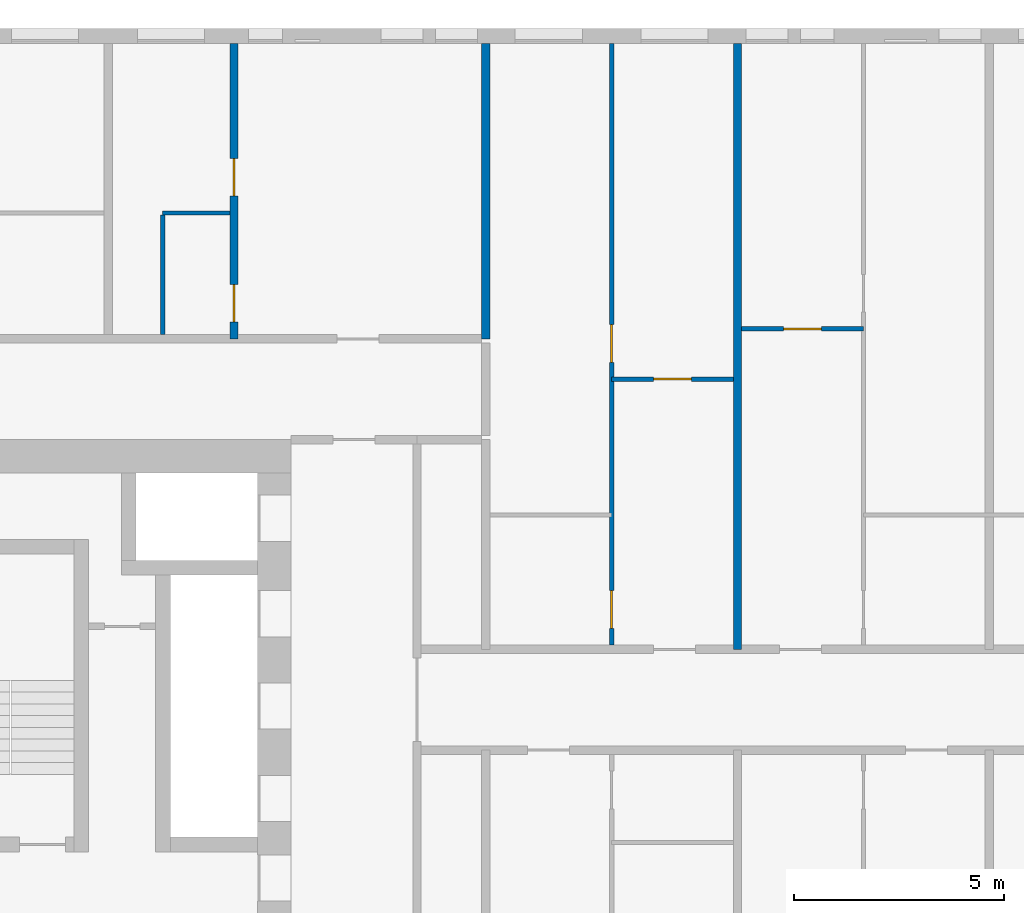
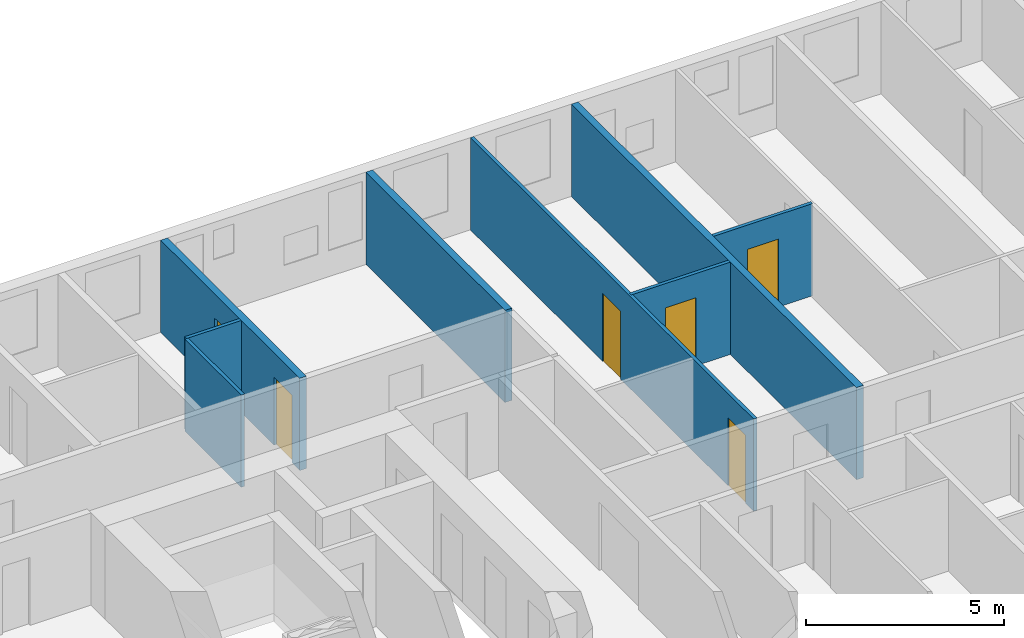
# One storey, part 6 of 19: 8 walls, 6 doors, 6 openings.
"""IFC4 building model written with IfcOpenShell, lengths in metres."""

from ifc_helpers import new_model, si_unit, direction, frame, frame_2d, origin, place, context, subcontext, project, spatial, rectangle, extrude, material, layer, layer_set, type_object, element, fill, save


model = new_model("IFC4")

# Units and contexts
model_context = context("Model", 3, precision=1e-05, world=origin(), true_north=direction((0.0, 1.0)))
body_context = subcontext(model_context, "Body", "Model", "MODEL_VIEW")
ifc_project = project(units=[si_unit("LENGTHUNIT", "METRE"), si_unit("AREAUNIT", "SQUARE_METRE"), si_unit("VOLUMEUNIT", "CUBIC_METRE"), si_unit("PLANEANGLEUNIT", "RADIAN"), si_unit("MASSUNIT", "GRAM", prefix="KILO")], contexts=[model_context])

# Site, building, storey
site_placement = place(None, origin())
site = spatial("IfcSite", under=ifc_project, at=site_placement, CompositionType="ELEMENT")
building_placement = place(site_placement, origin())
building = spatial("IfcBuilding", under=site, at=building_placement, Name="Tuart Gate Housing", CompositionType="ELEMENT")
storey_placement = place(building_placement, frame((0.0, 0.0, 56.699951171875)))
storey = spatial("IfcBuildingStorey", under=building, at=storey_placement, Name="L15", CompositionType="ELEMENT", Elevation=56.699951171875)

# Wall, opening, door
ifc_material_1 = material(Name="Gypsum board on steel studs", Category="steel")
ifc_layer_1 = layer(ifc_material_1, 0.10009765625)
ifc_layer_set_1 = layer_set([ifc_layer_1], Name="Partition 100")
wall_type_1 = type_object("IfcWallType", Name="Partition 100", PredefinedType="PARTITIONING", material=ifc_layer_set_1)
wall_1_placement = place(storey_placement, frame((49.0, 77.639892578125, 0.0), z_axis=(0.0, 0.0, 1.0), x_axis=(1.0, 0.0, 0.0)))
wall_1 = element("IfcWall", 1, at=wall_1_placement, inside=storey, type_object=wall_type_1, Name="Partition 100", PredefinedType="PARTITIONING", context=body_context, shape_type="SweptSolid", body=[
    extrude(rectangle(XDim=2.89990234375, YDim=0.10009765625, at=frame_2d((1.449951171875, 0.0))), origin(), (0.0, 0.0, 1.0), 2.85009765625),
])
opening_1_placement = place(wall_1_placement, frame((1.0, 0.0, 0.0)))
opening_1 = element("IfcOpeningElement", 2, at=opening_1_placement, cuts=wall_1, Name="Opening D733", PredefinedType="OPENING", context=body_context, shape_type="SweptSolid", body=[
    extrude(rectangle(XDim=0.89990234375, YDim=2.10009765625, at=frame_2d((0.449951171875, 1.050048828125))), frame((0.0, 0.06005859375, 0.0), z_axis=(0.0, -1.0, 0.0), x_axis=(1.0, 0.0, 0.0)), (0.0, 0.0, 1.0), 0.1201171875),
])
ifc_material_2 = material(Name="Timber door leaf in steel frame", Category="steel")
door_type_1 = type_object("IfcDoorType", Name="Internal door 900 RH", OperationType="SINGLE_SWING_RIGHT", PredefinedType="DOOR", material=ifc_material_2)
door_1_placement = place(opening_1_placement, frame((0.89990234375, 0.0, 0.0), z_axis=(0.0, 0.0, 1.0), x_axis=(-1.0, 0.0, 0.0)))
door_1 = element("IfcDoor", 3, at=door_1_placement, inside=storey, type_object=door_type_1, Name="Internal door", OperationType="SINGLE_SWING_RIGHT", OverallHeight=2.10009765625, OverallWidth=0.89990234375, PredefinedType="DOOR", context=body_context, shape_type="SweptSolid", body=[
    extrude(rectangle(XDim=0.89990234375, YDim=2.10009765625, at=frame_2d((0.449951171875, 1.050048828125))), frame((0.0, 0.025146484375, 0.0), z_axis=(0.0, -1.0, 0.0), x_axis=(1.0, 0.0, 0.0)), (0.0, 0.0, 1.0), 0.050048828125),
])
fill(opening_1, door_1)

wall_2_placement = place(storey_placement, frame((52.10009765625, 78.840087890625, 0.0), z_axis=(0.0, 0.0, 1.0), x_axis=(1.0, 0.0, 0.0)))
wall_2 = element("IfcWall", 4, at=wall_2_placement, inside=storey, type_object=wall_type_1, Name="Partition 100", PredefinedType="PARTITIONING", context=body_context, shape_type="SweptSolid", body=[
    extrude(rectangle(XDim=2.89990234375, YDim=0.10009765625, at=frame_2d((1.449951171875, 0.0))), origin(), (0.0, 0.0, 1.0), 2.85009765625),
])
opening_2_placement = place(wall_2_placement, frame((1.0, 0.0, 0.0)))
opening_2 = element("IfcOpeningElement", 5, at=opening_2_placement, cuts=wall_2, Name="Opening D723", PredefinedType="OPENING", context=body_context, shape_type="SweptSolid", body=[
    extrude(rectangle(XDim=0.89990234375, YDim=2.10009765625, at=frame_2d((0.449951171875, 1.050048828125))), frame((0.0, 0.06005859375, 0.0), z_axis=(0.0, -1.0, 0.0), x_axis=(1.0, 0.0, 0.0)), (0.0, 0.0, 1.0), 0.1201171875),
])
ifc_material_3 = material(Name="Timber door leaf in steel frame", Category="steel")
door_type_2 = type_object("IfcDoorType", Name="Internal door 900", OperationType="SINGLE_SWING_LEFT", PredefinedType="DOOR", material=ifc_material_3)
door_2_placement = place(opening_2_placement, frame((0.89990234375, 0.0, 0.0), z_axis=(0.0, 0.0, 1.0), x_axis=(-1.0, 0.0, 0.0)))
door_2 = element("IfcDoor", 6, at=door_2_placement, inside=storey, type_object=door_type_2, Name="Internal door", OperationType="SINGLE_SWING_LEFT", OverallHeight=2.10009765625, OverallWidth=0.89990234375, PredefinedType="DOOR", context=body_context, shape_type="SweptSolid", body=[
    extrude(rectangle(XDim=0.89990234375, YDim=2.10009765625, at=frame_2d((0.449951171875, 1.050048828125))), frame((0.0, 0.025146484375, 0.0), z_axis=(0.0, -1.0, 0.0), x_axis=(1.0, 0.0, 0.0)), (0.0, 0.0, 1.0), 0.050048828125),
])
fill(opening_2, door_2)

# Walls
wall_3_placement = place(storey_placement, frame((38.300048828125, 81.60009765625, 0.0), z_axis=(0.0, 0.0, 1.0), x_axis=(1.0, 0.0, 0.0)))
element("IfcWall", 7, at=wall_3_placement, inside=storey, type_object=wall_type_1, Name="Partition 100", PredefinedType="PARTITIONING", context=body_context, shape_type="SweptSolid", body=[
    extrude(rectangle(XDim=1.599853515625, YDim=0.10009765625, at=frame_2d((0.7998046875, 0.0))), origin(), (0.0, 0.0, 1.0), 2.85009765625),
])
wall_4_placement = place(storey_placement, frame((38.300048828125, 78.699951171875, 0.0), z_axis=(0.0, 0.0, 1.0), x_axis=(0.0, 1.0, 0.0)))
element("IfcWall", 8, at=wall_4_placement, inside=storey, type_object=wall_type_1, Name="Partition 100", PredefinedType="PARTITIONING", context=body_context, shape_type="SweptSolid", body=[
    extrude(rectangle(XDim=2.85009765625, YDim=0.10009765625, at=frame_2d((1.425048828125, 0.0))), origin(), (0.0, 0.0, 1.0), 2.85009765625),
])

# Wall, openings, doors
wall_5_placement = place(storey_placement, frame((49.0, 71.300048828125, 0.0), z_axis=(0.0, 0.0, 1.0), x_axis=(0.0, 1.0, 0.0)))
wall_5 = element("IfcWall", 9, at=wall_5_placement, inside=storey, type_object=wall_type_1, Name="Partition 100", PredefinedType="PARTITIONING", context=body_context, shape_type="SweptSolid", body=[
    extrude(rectangle(XDim=14.33984375, YDim=0.10009765625, at=frame_2d((7.169921875, 0.0))), origin(), (0.0, 0.0, 1.0), 2.85009765625),
])
opening_3_placement = place(wall_5_placement, frame((6.739990234375, 0.0, 0.0)))
opening_3 = element("IfcOpeningElement", 10, at=opening_3_placement, cuts=wall_5, Name="Opening D728", PredefinedType="OPENING", context=body_context, shape_type="SweptSolid", body=[
    extrude(rectangle(XDim=0.89990234375, YDim=2.10009765625, at=frame_2d((0.449951171875, 1.050048828125))), frame((0.0, 0.06005859375, 0.0), z_axis=(0.0, -1.0, 0.0), x_axis=(1.0, 0.0, 0.0)), (0.0, 0.0, 1.0), 0.1201171875),
])
opening_4_placement = place(wall_5_placement, frame((0.39990234375, 0.0, 0.0)))
opening_4 = element("IfcOpeningElement", 11, at=opening_4_placement, cuts=wall_5, Name="Opening D727", PredefinedType="OPENING", context=body_context, shape_type="SweptSolid", body=[
    extrude(rectangle(XDim=0.89990234375, YDim=2.10009765625, at=frame_2d((0.449951171875, 1.050048828125))), frame((0.0, 0.06005859375, 0.0), z_axis=(0.0, -1.0, 0.0), x_axis=(1.0, 0.0, 0.0)), (0.0, 0.0, 1.0), 0.1201171875),
])
ifc_material_4 = material(Name="Timber door leaf in steel frame", Category="steel")
door_type_3 = type_object("IfcDoorType", Name="Bathroom door 900", OperationType="SINGLE_SWING_LEFT", PredefinedType="DOOR", material=ifc_material_4)
door_3_placement = place(opening_4_placement, origin())
door_3 = element("IfcDoor", 12, at=door_3_placement, inside=storey, type_object=door_type_3, Name="Bathroom door", OperationType="SINGLE_SWING_LEFT", OverallHeight=2.10009765625, OverallWidth=0.89990234375, PredefinedType="DOOR", context=body_context, shape_type="SweptSolid", body=[
    extrude(rectangle(XDim=0.89990234375, YDim=2.10009765625, at=frame_2d((0.449951171875, 1.050048828125))), frame((0.0, 0.02490234375, 0.0), z_axis=(0.0, -1.0, 0.0), x_axis=(1.0, 0.0, 0.0)), (0.0, 0.0, 1.0), 0.050048828125),
])
fill(opening_4, door_3)
door_4_placement = place(opening_3_placement, origin())
door_4 = element("IfcDoor", 13, at=door_4_placement, inside=storey, type_object=door_type_2, Name="Internal door", OperationType="SINGLE_SWING_LEFT", OverallHeight=2.10009765625, OverallWidth=0.89990234375, PredefinedType="DOOR", context=body_context, shape_type="SweptSolid", body=[
    extrude(rectangle(XDim=0.89990234375, YDim=2.10009765625, at=frame_2d((0.449951171875, 1.050048828125))), frame((0.0, 0.02490234375, 0.0), z_axis=(0.0, -1.0, 0.0), x_axis=(1.0, 0.0, 0.0)), (0.0, 0.0, 1.0), 0.050048828125),
])
fill(opening_3, door_4)

ifc_material_5 = material(Name="Concrete C40", Category="concrete")
ifc_layer_2 = layer(ifc_material_5, 0.199951171875)
ifc_layer_set_2 = layer_set([ifc_layer_2], Name="Party wall concrete C40 200")
wall_type_2 = type_object("IfcWallType", Name="Party wall concrete C40 200", PredefinedType="SOLIDWALL", material=ifc_layer_set_2)
wall_6_placement = place(storey_placement, frame((40.0, 78.60009765625, 0.0), z_axis=(0.0, 0.0, 1.0), x_axis=(0.0, 1.0, 0.0)))
wall_6 = element("IfcWall", 14, at=wall_6_placement, inside=storey, type_object=wall_type_2, Name="Party wall concrete C40 200", PredefinedType="SOLIDWALL", context=body_context, shape_type="SweptSolid", body=[
    extrude(rectangle(XDim=7.039794921875, YDim=0.199951171875, at=frame_2d((3.52001953125, 0.0))), origin(), (0.0, 0.0, 1.0), 2.85009765625),
])
opening_5_placement = place(wall_6_placement, frame((3.39990234375, 0.0, 0.0)))
opening_5 = element("IfcOpeningElement", 15, at=opening_5_placement, cuts=wall_6, Name="Opening D716", PredefinedType="OPENING", context=body_context, shape_type="SweptSolid", body=[
    extrude(rectangle(XDim=0.89990234375, YDim=2.10009765625, at=frame_2d((0.449951171875, 1.050048828125))), frame((0.0, 0.10986328125, 0.0), z_axis=(0.0, -1.0, 0.0), x_axis=(1.0, 0.0, 0.0)), (0.0, 0.0, 1.0), 0.219970703125),
])
opening_6_placement = place(wall_6_placement, frame((0.39990234375, 0.0, 0.0)))
opening_6 = element("IfcOpeningElement", 16, at=opening_6_placement, cuts=wall_6, Name="Opening D715", PredefinedType="OPENING", context=body_context, shape_type="SweptSolid", body=[
    extrude(rectangle(XDim=0.89990234375, YDim=2.10009765625, at=frame_2d((0.449951171875, 1.050048828125))), frame((0.0, 0.10986328125, 0.0), z_axis=(0.0, -1.0, 0.0), x_axis=(1.0, 0.0, 0.0)), (0.0, 0.0, 1.0), 0.219970703125),
])
door_5_placement = place(opening_6_placement, origin())
door_5 = element("IfcDoor", 17, at=door_5_placement, inside=storey, type_object=door_type_3, Name="Bathroom door", OperationType="SINGLE_SWING_LEFT", OverallHeight=2.10009765625, OverallWidth=0.89990234375, PredefinedType="DOOR", context=body_context, shape_type="SweptSolid", body=[
    extrude(rectangle(XDim=0.89990234375, YDim=2.10009765625, at=frame_2d((0.449951171875, 1.050048828125))), frame((0.0, 0.02490234375, 0.0), z_axis=(0.0, -1.0, 0.0), x_axis=(1.0, 0.0, 0.0)), (0.0, 0.0, 1.0), 0.050048828125),
])
fill(opening_6, door_5)
door_6_placement = place(opening_5_placement, origin())
door_6 = element("IfcDoor", 18, at=door_6_placement, inside=storey, type_object=door_type_2, Name="Internal door", OperationType="SINGLE_SWING_LEFT", OverallHeight=2.10009765625, OverallWidth=0.89990234375, PredefinedType="DOOR", context=body_context, shape_type="SweptSolid", body=[
    extrude(rectangle(XDim=0.89990234375, YDim=2.10009765625, at=frame_2d((0.449951171875, 1.050048828125))), frame((0.0, 0.02490234375, 0.0), z_axis=(0.0, -1.0, 0.0), x_axis=(1.0, 0.0, 0.0)), (0.0, 0.0, 1.0), 0.050048828125),
])
fill(opening_5, door_6)

# Walls
wall_7_placement = place(storey_placement, frame((46.0, 78.60009765625, 0.0), z_axis=(0.0, 0.0, 1.0), x_axis=(0.0, 1.0, 0.0)))
element("IfcWall", 19, at=wall_7_placement, inside=storey, type_object=wall_type_2, Name="Party wall concrete C40 200", PredefinedType="SOLIDWALL", context=body_context, shape_type="SweptSolid", body=[
    extrude(rectangle(XDim=7.039794921875, YDim=0.199951171875, at=frame_2d((3.52001953125, 0.0))), origin(), (0.0, 0.0, 1.0), 2.85009765625),
])
wall_8_placement = place(storey_placement, frame((52.0, 71.199951171875, 0.0), z_axis=(0.0, 0.0, 1.0), x_axis=(0.0, 1.0, 0.0)))
element("IfcWall", 20, at=wall_8_placement, inside=storey, type_object=wall_type_2, Name="Party wall concrete C40 200", PredefinedType="SOLIDWALL", context=body_context, shape_type="SweptSolid", body=[
    extrude(rectangle(XDim=14.43994140625, YDim=0.199951171875, at=frame_2d((7.219970703125, 0.0))), origin(), (0.0, 0.0, 1.0), 2.85009765625),
])

save(model, "model.ifc")
